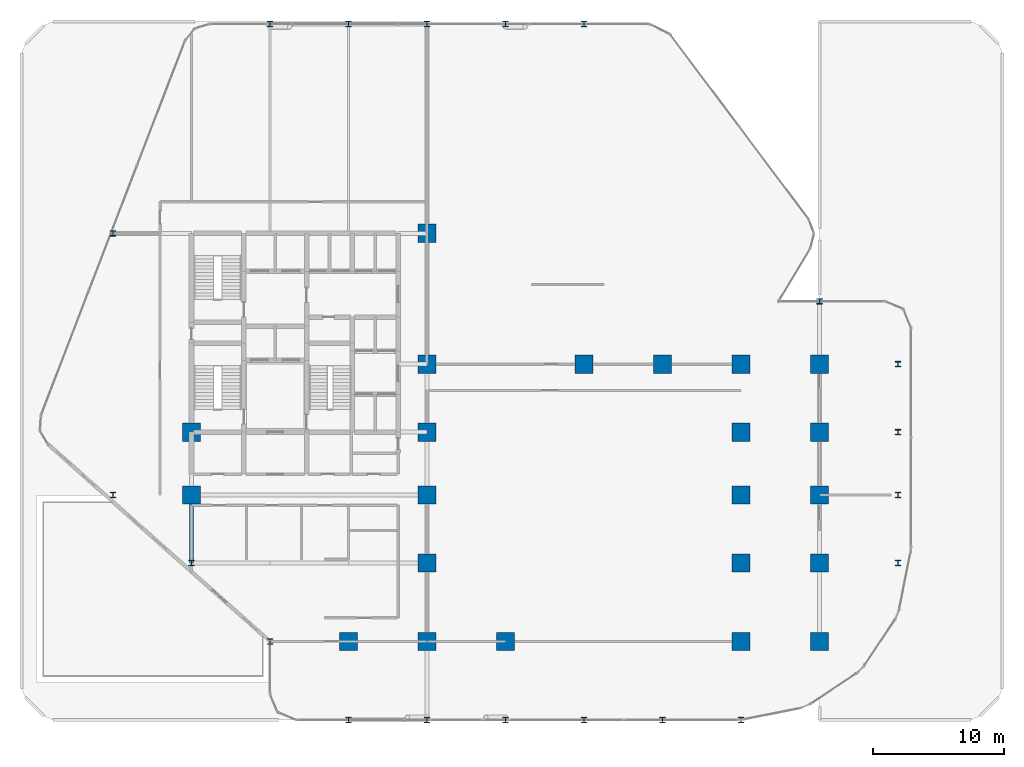
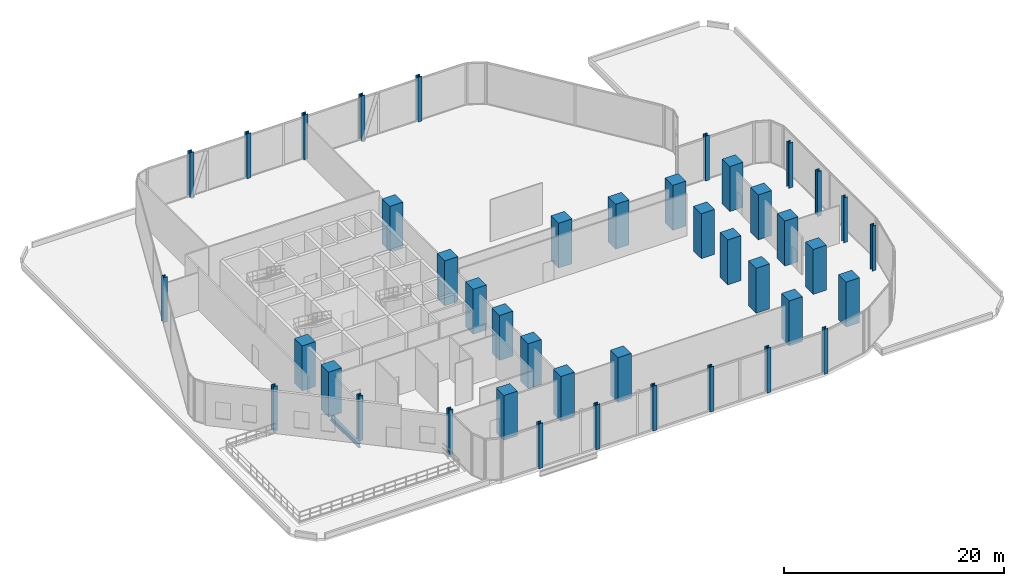
# One storey, part 1 of 29: 42 columns, 1 beam.
"""IFC4 building model written with IfcOpenShell, lengths in metres."""

import ifcopenshell
import ifcopenshell.guid

model = None  # the IFC model being written
_history = None  # IfcOwnerHistory: only IFC2X3 demands one
_inside = {}  # id of a spatial element -> (the spatial element, [elements in it])
_under = {}  # id of a project, library or spatial element -> (it, [spatial elements below it])
_declared = {}  # id of a project -> (the project, [libraries it declares])
_typed = {}  # id of a type object -> (the type object, [elements of that type])
_made_of = {}  # id of a material, layer set ... -> (it, [elements and type objects made of it])


def new_model(schema):
    """Start an empty IFC model of exactly this schema.

    Asked for "IFC4X3", IfcOpenShell would pick the latest addendum, in which some entities
    have other attributes; the version numbers below select the first issue.
    IFC2X3 requires an IfcOwnerHistory on every rooted entity: one is made here for all.
    """
    global model, _history
    if schema == "IFC4X3":
        model = ifcopenshell.file(schema_version=(4, 3, 0, 0))
    else:
        model = ifcopenshell.file(schema=schema)
    _inside.clear()
    _under.clear()
    _declared.clear()
    _typed.clear()
    _made_of.clear()
    _history = None
    if model.schema == "IFC2X3":
        org = make("IfcOrganization", Name="unknown")
        user = make(
            "IfcPersonAndOrganization",
            ThePerson=make("IfcPerson", FamilyName="unknown"),
            TheOrganization=org,
        )
        app = make(
            "IfcApplication",
            ApplicationDeveloper=org,
            Version="unknown",
            ApplicationFullName="unknown",
            ApplicationIdentifier="unknown",
        )
        _history = make(
            "IfcOwnerHistory",
            OwningUser=user,
            OwningApplication=app,
            ChangeAction="ADDED",
            CreationDate=0,
        )
    return model


def make(cls, **values):
    """One entity of the class cls with the attributes given. An attribute that is None is left unset."""
    return model.create_entity(
        cls, **{name: value for name, value in values.items() if value is not None}
    )


def rooted(cls, **values):
    """An entity with a GlobalId (a new one), such as an element, a storey or a relation."""
    return make(cls, GlobalId=ifcopenshell.guid.new(), OwnerHistory=_history, **values)


def si_unit(unit_type, name, prefix=None):
    """IfcSIUnit, for example si_unit("LENGTHUNIT", "METRE", prefix="MILLI")."""
    return make("IfcSIUnit", UnitType=unit_type, Prefix=prefix, Name=name)


def assignment(units):
    """IfcUnitAssignment: the units of a project."""
    return None if units is None else make("IfcUnitAssignment", Units=units)


def point(xyz):
    """IfcCartesianPoint."""
    return None if xyz is None else make("IfcCartesianPoint", Coordinates=xyz)


def direction(xyz):
    """IfcDirection."""
    return None if xyz is None else make("IfcDirection", DirectionRatios=xyz)


def frame(location, z_axis=None, x_axis=None):
    """IfcAxis2Placement3D, a coordinate frame: its origin and axes. An axis left out is left unset."""
    return make(
        "IfcAxis2Placement3D",
        Location=point(location),
        Axis=direction(z_axis),
        RefDirection=direction(x_axis),
    )


def frame_2d(location, x_axis=None):
    """IfcAxis2Placement2D, a coordinate frame in the plane: its origin and x axis."""
    return make(
        "IfcAxis2Placement2D", Location=point(location), RefDirection=direction(x_axis)
    )


def origin():
    """The frame at (0, 0, 0) with its axes left unset."""
    return frame((0.0, 0.0, 0.0))


def origin_2d():
    """The frame at (0, 0) in the plane with its x axis left unset."""
    return frame_2d((0.0, 0.0))


def place(relative_to, where):
    """IfcLocalPlacement: puts the frame where relative to a parent placement (None: the world)."""
    return make(
        "IfcLocalPlacement", PlacementRelTo=relative_to, RelativePlacement=where
    )


def context(
    kind, dimensions, precision=None, world=None, true_north=None, identifier=None
):
    """IfcGeometricRepresentationContext, for example the 3D "Model" context."""
    return make(
        "IfcGeometricRepresentationContext",
        ContextIdentifier=identifier,
        ContextType=kind,
        CoordinateSpaceDimension=dimensions,
        Precision=precision,
        WorldCoordinateSystem=world,
        TrueNorth=true_north,
    )


def subcontext(parent, identifier, kind, view, scale=None):
    """IfcGeometricRepresentationSubContext, for example "Body" below "Model"."""
    return make(
        "IfcGeometricRepresentationSubContext",
        ContextIdentifier=identifier,
        ContextType=kind,
        ParentContext=parent,
        TargetScale=scale,
        TargetView=view,
    )


def project(units=None, contexts=None):
    """IfcProject with its units and contexts."""
    return rooted(
        "IfcProject",
        Name="project",
        RepresentationContexts=contexts,
        UnitsInContext=assignment(units),
    )


def spatial(cls, under=None, at=None, **own):
    """A site, building, storey or space (cls), placed at a placement, below another one or the project."""
    s = rooted(cls, ObjectPlacement=at, **own)
    if under is not None:
        _under.setdefault(under.id(), (under, []))[1].append(s)
    return s


def profile(cls, at=None, kind="AREA", **sizes):
    """A parametric profile (cls). Its sizes go by their IFC names, for example OverallWidth=200.0."""
    return make(cls, ProfileType=kind, Position=at, **sizes)


def rectangle(**sizes):
    """IfcRectangleProfileDef."""
    return profile("IfcRectangleProfileDef", **sizes)


def i_section(**sizes):
    """IfcIShapeProfileDef."""
    return profile("IfcIShapeProfileDef", **sizes)


def extrude(swept, where, along, depth):
    """IfcExtrudedAreaSolid: the profile swept, set in the frame where, extruded along a direction by depth."""
    return make(
        "IfcExtrudedAreaSolid",
        SweptArea=swept,
        Position=where,
        ExtrudedDirection=direction(along),
        Depth=depth,
    )


def shape(context_of_items, identifier, shape_type, items):
    """IfcShapeRepresentation: the items that make up one representation, for example the "Body"."""
    return make(
        "IfcShapeRepresentation",
        ContextOfItems=context_of_items,
        RepresentationIdentifier=identifier,
        RepresentationType=shape_type,
        Items=items,
    )


def material(Name=None, Category=None):
    """IfcMaterial."""
    return make("IfcMaterial", Name=Name, Category=Category)


def material_profile(
    of_material, cross_section, Name=None, Category=None, Priority=None
):
    """IfcMaterialProfile: a cross section and its material."""
    return make(
        "IfcMaterialProfile",
        Name=Name,
        Material=of_material,
        Profile=cross_section,
        Priority=Priority,
        Category=Category,
    )


def profile_set(profiles, Name=None, composite=None):
    """IfcMaterialProfileSet."""
    return make(
        "IfcMaterialProfileSet",
        Name=Name,
        MaterialProfiles=profiles,
        CompositeProfile=composite,
    )


def made_of(thing, what):
    """Note that an element or type object is made of a material, layer set ...; save() writes the relation."""
    if what is not None:
        _made_of.setdefault(what.id(), (what, []))[1].append(thing)
    return thing


def type_object(cls, material=None, **own):
    """A type object (cls), such as IfcWallType, which elements share."""
    return made_of(rooted(cls, **own), material)


def element(
    cls,
    number,
    at=None,
    inside=None,
    cuts=None,
    type_object=None,
    material=None,
    context=None,
    identifier="Body",
    shape_type=None,
    held_by="IfcProductDefinitionShape",
    body=None,
    shapes=None,
    **own,
):
    """One element of the class cls, such as IfcWall. Its Tag is "e" and its number.

    at: its placement. inside: the storey or other place that contains it. cuts: it is an
    opening in that element (IfcRelVoidsElement). A single representation is given by context,
    identifier, shape_type and body (its items); several are given by shapes. held_by: the class
    of the entity that holds the representations. save() writes the other relations.
    """
    e = rooted(cls, Tag="e%d" % number, ObjectPlacement=at, **own)
    if body is not None:
        shapes = [shape(context, identifier, shape_type, body)]
    if shapes is not None:
        e.Representation = make(held_by, Representations=shapes)
    if inside is not None:
        _inside.setdefault(inside.id(), (inside, []))[1].append(e)
    if cuts is not None:
        rooted(
            "IfcRelVoidsElement", RelatingBuildingElement=cuts, RelatedOpeningElement=e
        )
    if type_object is not None:
        _typed.setdefault(type_object.id(), (type_object, []))[1].append(e)
    return made_of(e, material)


def aggregate(whole, parts):
    """IfcRelAggregates: a whole, such as a stair, and the parts it consists of."""
    return rooted("IfcRelAggregates", RelatingObject=whole, RelatedObjects=parts)


def save(model, path):
    """Write the relations noted so far, then the file.

    IfcRelAggregates (storeys below a building ...), IfcRelContainedInSpatialStructure (elements
    in a storey), IfcRelDefinesByType, IfcRelAssociatesMaterial and IfcRelDeclares: one each for
    every whole, place, type object, material and project.
    """
    for whole, parts in _under.values():
        aggregate(whole, parts)
    for where, things in _inside.values():
        rooted(
            "IfcRelContainedInSpatialStructure",
            RelatedElements=things,
            RelatingStructure=where,
        )
    for kind, things in _typed.values():
        rooted("IfcRelDefinesByType", RelatedObjects=things, RelatingType=kind)
    for what, things in _made_of.values():
        rooted("IfcRelAssociatesMaterial", RelatedObjects=things, RelatingMaterial=what)
    for by, libraries in _declared.values():
        rooted("IfcRelDeclares", RelatingContext=by, RelatedDefinitions=libraries)
    model.write(path)


model = new_model("IFC4")

# Units and contexts
model_context = context("Model", 3, precision=1e-05, world=origin(), true_north=direction((0.0, 1.0)))
body_context = subcontext(model_context, "Body", "Model", "MODEL_VIEW")
ifc_project = project(units=[si_unit("LENGTHUNIT", "METRE"), si_unit("AREAUNIT", "SQUARE_METRE"), si_unit("VOLUMEUNIT", "CUBIC_METRE"), si_unit("PLANEANGLEUNIT", "RADIAN"), si_unit("MASSUNIT", "GRAM", prefix="KILO")], contexts=[model_context])

# Site, building, storey
site_placement = place(None, origin())
site = spatial("IfcSite", under=ifc_project, at=site_placement, CompositionType="ELEMENT")
building_placement = place(site_placement, origin())
building = spatial("IfcBuilding", under=site, at=building_placement, Name="Keshet Zoharim Tower", CompositionType="ELEMENT")
storey_placement = place(building_placement, frame((0.0, 0.0, 19.0)))
storey = spatial("IfcBuildingStorey", under=building, at=storey_placement, Name="L03", CompositionType="ELEMENT", Elevation=19.0)

# Columns
ifc_material_1 = material(Name="Steel S355", Category="steel")
ifc_material_profile_1 = material_profile(ifc_material_1, i_section(OverallWidth=0.408935546875, OverallDepth=0.425048828125, WebThickness=0.031982421875, FlangeThickness=0.052490234375, FilletRadius=0.014892578125, at=origin_2d()), Name="HD400x421")
ifc_profile_set_1 = profile_set([ifc_material_profile_1], Name="Steel S355")
column_type_1 = type_object("IfcColumnType", Name="COL-HD421", PredefinedType="COLUMN", material=ifc_profile_set_1)
for number, where, z_axis, x_axis, name in (
    (1, (9.0, 17.89990234375, 0.0), (0.0, 0.0, 1.0), (1.0, 0.0, 0.0), "L03 Column 2D"),
    (2, (9.0, 37.89990234375, 0.0), (0.0, 0.0, 1.0), (1.0, 0.0, 0.0), "L03 Column 2H"),
    (3, (15.0, 12.699951171875, 0.0), (0.0, 0.0, 1.0), (1.0, 0.0, 0.0), "L03 Column 3C"),
    (4, (21.0, 6.699951171875, 0.0), (0.0, 0.0, 1.0), (1.0, 0.0, 0.0), "L03 Column 4B"),
    (5, (21.0, 53.89990234375, 0.0), (0.0, 0.0, 1.0), (1.0, 0.0, 0.0), "L03 Column 4L"),
    (6, (27.0, 0.699951171875, 0.0), (0.0, 0.0, 1.0), (1.0, 0.0, 0.0), "L03 Column 5A"),
    (7, (27.0, 53.89990234375, 0.0), (0.0, 0.0, 1.0), (1.0, 0.0, 0.0), "L03 Column 5L"),
    (8, (33.0, 0.699951171875, 0.0), (0.0, 0.0, 1.0), (1.0, 0.0, 0.0), "L03 Column 6A"),
    (9, (33.0, 53.89990234375, 0.0), (0.0, 0.0, 1.0), (1.0, 0.0, 0.0), "L03 Column 6L"),
    (10, (39.0, 0.699951171875, 0.0), (0.0, 0.0, 1.0), (1.0, 0.0, 0.0), "L03 Column 7A"),
    (11, (39.0, 53.89990234375, 0.0), (0.0, 0.0, 1.0), (1.0, 0.0, 0.0), "L03 Column 7L"),
    (12, (45.0, 0.699951171875, 0.0), (0.0, 0.0, 1.0), (1.0, 0.0, 0.0), "L03 Column 8A"),
    (13, (45.0, 53.89990234375, 0.0), (0.0, 0.0, 1.0), (1.0, 0.0, 0.0), "L03 Column 8L"),
    (14, (51.0, 0.699951171875, 0.0), (0.0, 0.0, 1.0), (1.0, 0.0, 0.0), "L03 Column 9A"),
    (15, (57.0, 0.699951171875, 0.0), (0.0, 0.0, 1.0), (1.0, 0.0, 0.0), "L03 Column 10A"),
    (16, (63.0, 32.699951171875, 0.0), (0.0, 0.0, 1.0), (1.0, 0.0, 0.0), "L03 Column 11G"),
    (17, (69.0, 12.699951171875, 0.0), (0.0, 0.0, 1.0), (1.0, 0.0, 0.0), "L03 Column 12C"),
    (18, (69.0, 17.89990234375, 0.0), (0.0, 0.0, 1.0), (1.0, 0.0, 0.0), "L03 Column 12D"),
    (19, (69.0, 22.699951171875, 0.0), (0.0, 0.0, 1.0), (1.0, 0.0, 0.0), "L03 Column 12E"),
    (20, (69.0, 27.89990234375, 0.0), (0.0, 0.0, 1.0), (1.0, 0.0, 0.0), "L03 Column 12F"),
):
    element("IfcColumn", number, at=place(storey_placement, frame(where, z_axis=z_axis, x_axis=x_axis)), inside=storey, type_object=column_type_1, Name=name, PredefinedType="COLUMN", context=body_context, shape_type="SweptSolid", body=[
        extrude(i_section(OverallWidth=0.408935546875, OverallDepth=0.425048828125, WebThickness=0.031982421875, FlangeThickness=0.052490234375, FilletRadius=0.014892578125, at=origin_2d()), origin(), (0.0, 0.0, 1.0), 5.0),
    ])
ifc_material_2 = material(Name="Concrete C60/75", Category="concrete")
ifc_material_profile_2 = material_profile(ifc_material_2, rectangle(XDim=1.39990234375, YDim=1.39990234375, at=origin_2d()), Name="RC1400x1400")
ifc_profile_set_2 = profile_set([ifc_material_profile_2], Name="Concrete C60/75")
column_type_2 = type_object("IfcColumnType", Name="COL-RC1400", PredefinedType="COLUMN", material=ifc_profile_set_2)
for number, where, z_axis, x_axis, name in (
    (21, (15.0, 17.89990234375, 0.0), (0.0, 0.0, 1.0), (1.0, 0.0, 0.0), "L03 Column 3D"),
    (22, (15.0, 22.699951171875, 0.0), (0.0, 0.0, 1.0), (1.0, 0.0, 0.0), "L03 Column 3E"),
    (23, (27.0, 6.699951171875, 0.0), (0.0, 0.0, 1.0), (1.0, 0.0, 0.0), "L03 Column 5B"),
    (24, (33.0, 6.699951171875, 0.0), (0.0, 0.0, 1.0), (1.0, 0.0, 0.0), "L03 Column 6B"),
    (25, (33.0, 12.699951171875, 0.0), (0.0, 0.0, 1.0), (1.0, 0.0, 0.0), "L03 Column 6C"),
    (26, (33.0, 17.89990234375, 0.0), (0.0, 0.0, 1.0), (1.0, 0.0, 0.0), "L03 Column 6D"),
    (27, (33.0, 22.699951171875, 0.0), (0.0, 0.0, 1.0), (1.0, 0.0, 0.0), "L03 Column 6E"),
    (28, (33.0, 27.89990234375, 0.0), (0.0, 0.0, 1.0), (1.0, 0.0, 0.0), "L03 Column 6F"),
    (29, (33.0, 37.89990234375, 0.0), (0.0, 0.0, 1.0), (1.0, 0.0, 0.0), "L03 Column 6H"),
    (30, (39.0, 6.699951171875, 0.0), (0.0, 0.0, 1.0), (1.0, 0.0, 0.0), "L03 Column 7B"),
    (31, (45.0, 27.89990234375, 0.0), (0.0, 0.0, 1.0), (1.0, 0.0, 0.0), "L03 Column 8F"),
    (32, (51.0, 27.89990234375, 0.0), (0.0, 0.0, 1.0), (1.0, 0.0, 0.0), "L03 Column 9F"),
    (33, (57.0, 6.699951171875, 0.0), (0.0, 0.0, 1.0), (1.0, 0.0, 0.0), "L03 Column 10B"),
    (34, (57.0, 12.699951171875, 0.0), (0.0, 0.0, 1.0), (1.0, 0.0, 0.0), "L03 Column 10C"),
    (35, (57.0, 17.89990234375, 0.0), (0.0, 0.0, 1.0), (1.0, 0.0, 0.0), "L03 Column 10D"),
    (36, (57.0, 22.699951171875, 0.0), (0.0, 0.0, 1.0), (1.0, 0.0, 0.0), "L03 Column 10E"),
    (37, (57.0, 27.89990234375, 0.0), (0.0, 0.0, 1.0), (1.0, 0.0, 0.0), "L03 Column 10F"),
    (38, (63.0, 6.699951171875, 0.0), (0.0, 0.0, 1.0), (1.0, 0.0, 0.0), "L03 Column 11B"),
    (39, (63.0, 12.699951171875, 0.0), (0.0, 0.0, 1.0), (1.0, 0.0, 0.0), "L03 Column 11C"),
    (40, (63.0, 17.89990234375, 0.0), (0.0, 0.0, 1.0), (1.0, 0.0, 0.0), "L03 Column 11D"),
    (41, (63.0, 22.699951171875, 0.0), (0.0, 0.0, 1.0), (1.0, 0.0, 0.0), "L03 Column 11E"),
    (42, (63.0, 27.89990234375, 0.0), (0.0, 0.0, 1.0), (1.0, 0.0, 0.0), "L03 Column 11F"),
):
    element("IfcColumn", number, at=place(storey_placement, frame(where, z_axis=z_axis, x_axis=x_axis)), inside=storey, type_object=column_type_2, Name=name, PredefinedType="COLUMN", context=body_context, shape_type="SweptSolid", body=[
        extrude(rectangle(XDim=1.39990234375, YDim=1.39990234375, at=origin_2d()), origin(), (0.0, 0.0, 1.0), 5.0),
    ])

# Beam
ifc_material_profile_3 = material_profile(ifc_material_1, i_section(OverallWidth=0.300048828125, OverallDepth=0.5, WebThickness=0.014404296875, FlangeThickness=0.028076171875, FilletRadius=0.027099609375, at=origin_2d()), Name="HEB500")
ifc_profile_set_3 = profile_set([ifc_material_profile_3], Name="Steel S355")
beam_type = type_object("IfcBeamType", Name="BM-WEB-HB500", PredefinedType="BEAM", material=ifc_profile_set_3)
beam_placement = place(storey_placement, frame((15.0, 12.699951171875, -0.669921875), z_axis=(0.0, 1.0, 0.0), x_axis=(-1.0, 0.0, 0.0)))
element("IfcBeam", 43, at=beam_placement, inside=storey, type_object=beam_type, Name="L03 Primary Girder Y-001", PredefinedType="BEAM", context=body_context, shape_type="SweptSolid", body=[
    extrude(i_section(OverallWidth=0.300048828125, OverallDepth=0.5, WebThickness=0.014404296875, FlangeThickness=0.028076171875, FilletRadius=0.027099609375, at=origin_2d()), origin(), (0.0, 0.0, 1.0), 5.199951171875),
])

save(model, "model.ifc")
